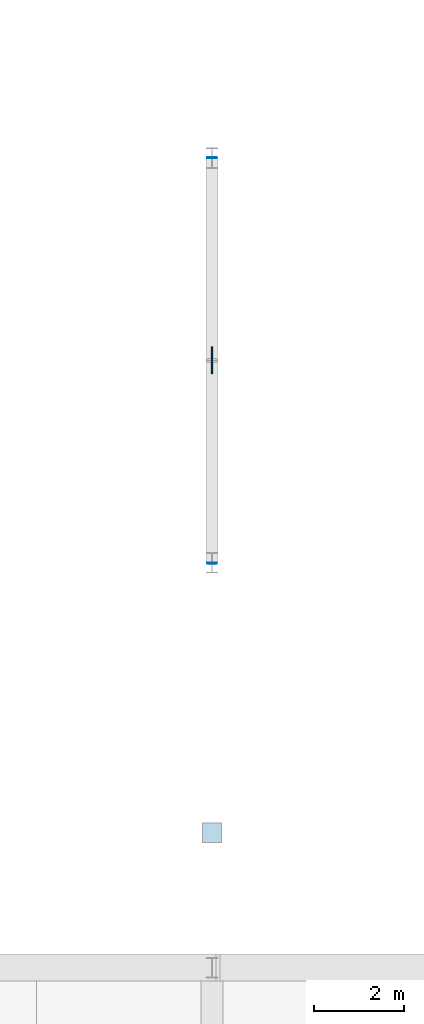
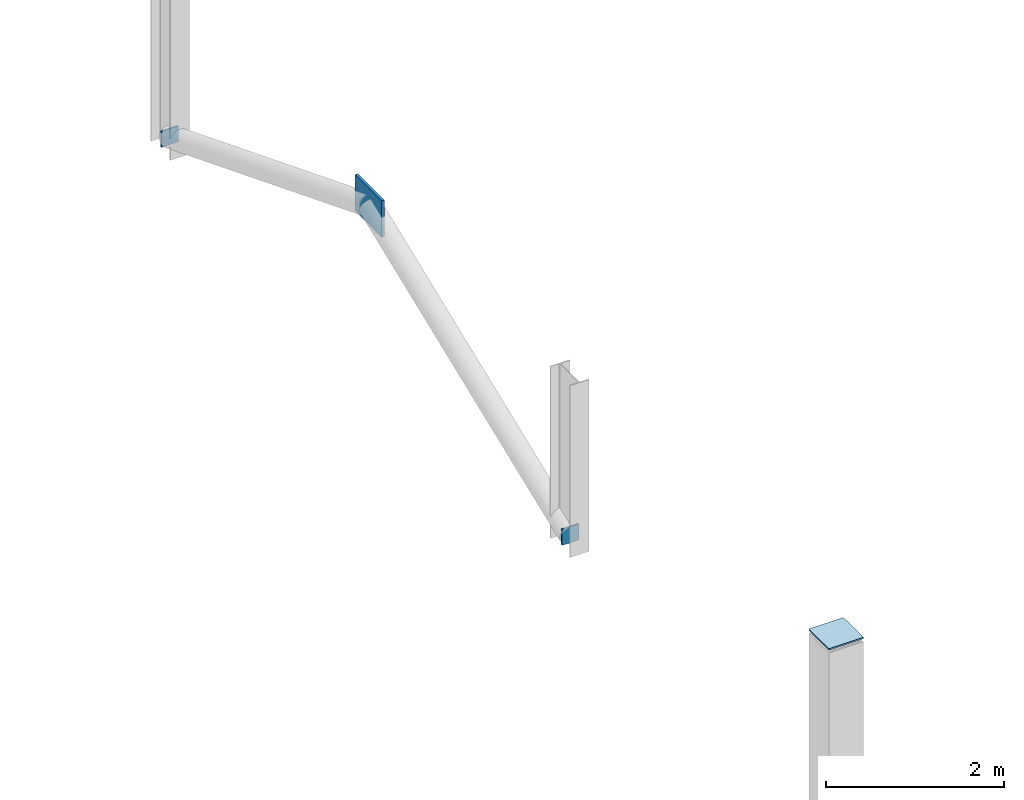
# One storey, part 8 of 12: 4 plates.
"""IFC4 building model written with IfcOpenShell, lengths in metres."""

from ifc_helpers import new_model, si_unit, derived_unit, direction, frame, origin, origin_2d, place, context, subcontext, project, spatial, rectangle, extrude, material, layer, layer_set, type_object, element, save


model = new_model("IFC4")

# Units and contexts
model_context = context("Model", 3, precision=1e-05, world=origin(), true_north=direction((0.0, 1.0)))
body_context = subcontext(model_context, "Body", "Model", "MODEL_VIEW")
ifc_project = project(units=[si_unit("LENGTHUNIT", "METRE"), si_unit("AREAUNIT", "SQUARE_METRE"), si_unit("VOLUMEUNIT", "CUBIC_METRE"), si_unit("PLANEANGLEUNIT", "RADIAN"), si_unit("MASSUNIT", "GRAM", prefix="KILO"), derived_unit("THERMALTRANSMITTANCEUNIT", [(si_unit("POWERUNIT", "WATT"), 1), (si_unit("LENGTHUNIT", "METRE"), -2), (si_unit("THERMODYNAMICTEMPERATUREUNIT", "KELVIN"), -1)])], contexts=[model_context])

# Site, building, storey
site_placement = place(None, origin())
site = spatial("IfcSite", under=ifc_project, at=site_placement, CompositionType="ELEMENT")
building_placement = place(site_placement, origin())
building = spatial("IfcBuilding", under=site, at=building_placement, Name="Nallur Shell Playhouse", CompositionType="ELEMENT")
storey_placement = place(building_placement, frame((0.0, 0.0, 28.800048828125)))
storey = spatial("IfcBuildingStorey", under=building, at=storey_placement, Name="RF1", CompositionType="ELEMENT", Elevation=28.800048828125)

# Plates
ifc_material = material(Name="Steel E350", Category="steel")
ifc_layer_1 = layer(ifc_material, 0.02001953125)
ifc_layer_set_1 = layer_set([ifc_layer_1], Name="Steel E350")
plate_type_1 = type_object("IfcPlateType", Name="PT-ENDCAP-20", PredefinedType="SHEET", material=ifc_layer_set_1)
plate_1_placement = place(storey_placement, frame((103.0, 50.0, 2.39990234375), z_axis=(0.0, 0.0, 1.0), x_axis=(1.0, 0.0, 0.0)))
element("IfcPlate", 1, at=plate_1_placement, inside=storey, type_object=plate_type_1, Name="Hollow end cap EC-COL-RF1-13-F", PredefinedType="SHEET", context=body_context, shape_type="SweptSolid", body=[
    extrude(rectangle(XDim=0.449951171875, YDim=0.449951171875, at=origin_2d()), origin(), (0.0, 0.0, 1.0), 0.02001953125),
])
for number, where, z_axis, x_axis, name in (
    (2, (103.0, 55.99072265625, 0.0361328125), (0.0, 0.0, 1.0), (1.0, 0.0, 0.0), "Hollow end cap EC-BR-FT-RF1-051-0"),
    (3, (103.0, 65.00927734375, 0.0361328125), (0.0, 0.0, 1.0), (1.0, 0.0, 0.0), "Hollow end cap EC-BR-FT-RF1-052-0"),
):
    element("IfcPlate", number, at=place(storey_placement, frame(where, z_axis=z_axis, x_axis=x_axis)), inside=storey, type_object=plate_type_1, Name=name, PredefinedType="SHEET", context=body_context, shape_type="SweptSolid", body=[
        extrude(rectangle(XDim=0.219970703125, YDim=0.02001953125, at=origin_2d()), origin(), (0.0, 0.0, 1.0), 0.219970703125),
    ])
ifc_layer_2 = layer(ifc_material, 0.034912109375)
ifc_layer_set_2 = layer_set([ifc_layer_2], Name="Steel E350")
plate_type_2 = type_object("IfcPlateType", Name="PT-GUSSET-35", PredefinedType="USERDEFINED", material=ifc_layer_set_2)
plate_2_placement = place(storey_placement, frame((103.0, 60.5, 1.679931640625), z_axis=(0.0, 0.0, 1.0), x_axis=(1.0, 0.0, 0.0)))
element("IfcPlate", 4, at=plate_2_placement, inside=storey, type_object=plate_type_2, Name="Fly tower chevron node gusset plate TN-02 (RF1)", ObjectType="GUSSET PLATE", PredefinedType="USERDEFINED", context=body_context, shape_type="SweptSolid", body=[
    extrude(rectangle(XDim=0.034912109375, YDim=0.60009765625, at=origin_2d()), origin(), (0.0, 0.0, 1.0), 0.5),
])

save(model, "model.ifc")
